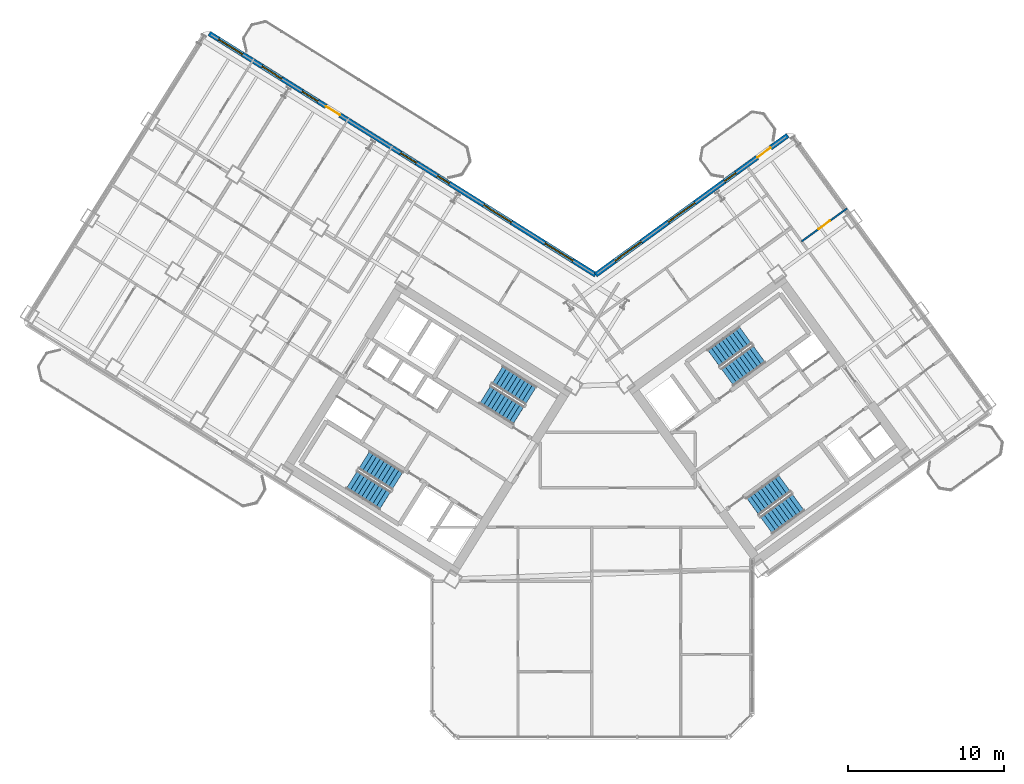
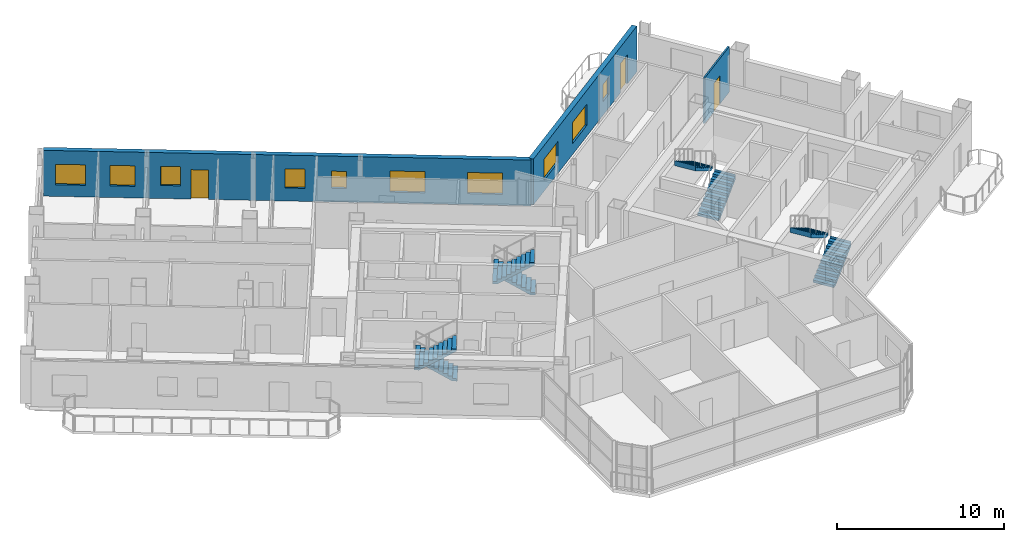
# One storey, part 16 of 21: 10 windows, 8 stair flights, 3 doors, 3 walls, 13 openings, 4 elements without a shape of their own.
"""IFC4 building model written with IfcOpenShell, lengths in metres."""

from ifc_helpers import new_model, si_unit, direction, frame, frame_2d, origin, place, context, subcontext, project, spatial, polyline, rectangle, outline, extrude, source, transform, mapped, material, layer, layer_set, type_object, element, fill, aggregate, save


model = new_model("IFC4")

# Units and contexts
model_context = context("Model", 3, precision=1e-05, world=origin(), true_north=direction((0.0, 1.0)))
body_context = subcontext(model_context, "Body", "Model", "MODEL_VIEW")
ifc_project = project(units=[si_unit("LENGTHUNIT", "METRE"), si_unit("AREAUNIT", "SQUARE_METRE"), si_unit("VOLUMEUNIT", "CUBIC_METRE"), si_unit("PLANEANGLEUNIT", "RADIAN"), si_unit("MASSUNIT", "GRAM", prefix="KILO")], contexts=[model_context])

# Site, building, storey
site_placement = place(None, origin())
site = spatial("IfcSite", under=ifc_project, at=site_placement, CompositionType="ELEMENT")
building_placement = place(site_placement, origin())
building = spatial("IfcBuilding", under=site, at=building_placement, Name="Tlacorven Tower", CompositionType="ELEMENT")
storey_placement = place(building_placement, frame((0.0, 0.0, 119.699951171875)))
storey = spatial("IfcBuildingStorey", under=building, at=storey_placement, Name="L30", CompositionType="ELEMENT", Elevation=119.699951171875)

# Wall, openings, door, windows
ifc_material_1 = material(Name="Precast concrete C45/55", Category="concrete")
ifc_layer_1 = layer(ifc_material_1, 0.320068359375)
ifc_layer_set_1 = layer_set([ifc_layer_1], Name="Precast concrete C45/55")
wall_type_1 = type_object("IfcWallType", Name="WL-EXT-320", PredefinedType="STANDARD", material=ifc_layer_set_1)
wall_1_placement = place(storey_placement, frame((17.423828125, 47.083251953125, 0.0), z_axis=(0.0, 0.0, 1.0), x_axis=(0.848049927979, -0.529916332693, 0.0)))
wall_1 = element("IfcWall", 1, at=wall_1_placement, inside=storey, type_object=wall_type_1, Name="L30 Masonry-Frame Recessed Facade Wall 3", PredefinedType="STANDARD", context=body_context, shape_type="SweptSolid", body=[
    extrude(rectangle(XDim=29.22314453125, YDim=0.320068359375, at=frame_2d((14.611572265625, 0.0))), origin(), (0.0, 0.0, 1.0), 3.35009765625),
])
opening_1_placement = place(wall_1_placement, frame((8.838623046875, 0.0, 0.0)))
opening_1 = element("IfcOpeningElement", 2, at=opening_1_placement, cuts=wall_1, Name="Opening D06", PredefinedType="OPENING", context=body_context, shape_type="SweptSolid", body=[
    extrude(rectangle(XDim=1.050048828125, YDim=2.14990234375, at=frame_2d((0.52490234375, 1.074951171875))), frame((0.0, 0.169921875, 0.0), z_axis=(0.0, -1.0, 0.0), x_axis=(1.0, 0.0, 0.0)), (0.0, 0.0, 1.0), 0.340087890625),
])
opening_2_placement = place(wall_1_placement, frame((0.719482421875, 0.0, 0.85009765625)))
opening_2 = element("IfcOpeningElement", 3, at=opening_2_placement, cuts=wall_1, Name="Opening WN01", PredefinedType="OPENING", context=body_context, shape_type="SweptSolid", body=[
    extrude(rectangle(XDim=1.800048828125, YDim=1.5, at=frame_2d((0.89990234375, 0.75))), frame((0.0, 0.169921875, 0.0), z_axis=(0.0, -1.0, 0.0), x_axis=(1.0, 0.0, 0.0)), (0.0, 0.0, 1.0), 0.340087890625),
])
opening_3_placement = place(wall_1_placement, frame((3.981201171875, 0.0, 0.85009765625)))
opening_3 = element("IfcOpeningElement", 4, at=opening_3_placement, cuts=wall_1, Name="Opening WN02", PredefinedType="OPENING", context=body_context, shape_type="SweptSolid", body=[
    extrude(rectangle(XDim=1.5, YDim=1.5, at=frame_2d((0.75, 0.75))), frame((0.0, 0.169921875, 0.0), z_axis=(0.0, -1.0, 0.0), x_axis=(1.0, 0.0, 0.0)), (0.0, 0.0, 1.0), 0.340087890625),
])
opening_4_placement = place(wall_1_placement, frame((7.021240234375, 0.0, 0.949951171875)))
opening_4 = element("IfcOpeningElement", 5, at=opening_4_placement, cuts=wall_1, Name="Opening WN03", PredefinedType="OPENING", context=body_context, shape_type="SweptSolid", body=[
    extrude(rectangle(XDim=1.199951171875, YDim=1.39990234375, at=frame_2d((0.60009765625, 0.699951171875))), frame((0.0, 0.169921875, 0.0), z_axis=(0.0, -1.0, 0.0), x_axis=(1.0, 0.0, 0.0)), (0.0, 0.0, 1.0), 0.340087890625),
])
opening_5_placement = place(wall_1_placement, frame((14.47119140625, 0.0, 0.949951171875)))
opening_5 = element("IfcOpeningElement", 6, at=opening_5_placement, cuts=wall_1, Name="Opening WN03", PredefinedType="OPENING", context=body_context, shape_type="SweptSolid", body=[
    extrude(rectangle(XDim=1.199951171875, YDim=1.39990234375, at=frame_2d((0.60009765625, 0.699951171875))), frame((0.0, 0.169921875, 0.0), z_axis=(0.0, -1.0, 0.0), x_axis=(1.0, 0.0, 0.0)), (0.0, 0.0, 1.0), 0.340087890625),
])
opening_6_placement = place(wall_1_placement, frame((17.253662109375, 0.0, 1.0)))
opening_6 = element("IfcOpeningElement", 7, at=opening_6_placement, cuts=wall_1, Name="Opening WN05", PredefinedType="OPENING", context=body_context, shape_type="SweptSolid", body=[
    extrude(rectangle(XDim=0.89990234375, YDim=1.25, at=frame_2d((0.449951171875, 0.625))), frame((0.0, 0.169921875, 0.0), z_axis=(0.0, -1.0, 0.0), x_axis=(1.0, 0.0, 0.0)), (0.0, 0.0, 1.0), 0.340087890625),
])
opening_7_placement = place(wall_1_placement, frame((20.763671875, 0.0, 0.800048828125)))
opening_7 = element("IfcOpeningElement", 8, at=opening_7_placement, cuts=wall_1, Name="Opening WN04", PredefinedType="OPENING", context=body_context, shape_type="SweptSolid", body=[
    extrude(rectangle(XDim=2.10009765625, YDim=1.550048828125, at=frame_2d((1.050048828125, 0.77490234375))), frame((0.0, 0.169921875, 0.0), z_axis=(0.0, -1.0, 0.0), x_axis=(1.0, 0.0, 0.0)), (0.0, 0.0, 1.0), 0.340087890625),
])
opening_8_placement = place(wall_1_placement, frame((25.4033203125, 0.0, 0.800048828125)))
opening_8 = element("IfcOpeningElement", 9, at=opening_8_placement, cuts=wall_1, Name="Opening WN04", PredefinedType="OPENING", context=body_context, shape_type="SweptSolid", body=[
    extrude(rectangle(XDim=2.10009765625, YDim=1.550048828125, at=frame_2d((1.050048828125, 0.77490234375))), frame((0.0, 0.169921875, 0.0), z_axis=(0.0, -1.0, 0.0), x_axis=(1.0, 0.0, 0.0)), (0.0, 0.0, 1.0), 0.340087890625),
])
ifc_material_2 = material(Name="Powder-coated aluminium and timber door", Category="wood")
door_type_1 = type_object("IfcDoorType", Name="DR-EXT-BALC-1050", OperationType="NOTDEFINED", PredefinedType="DOOR", material=ifc_material_2)
shared_shape_1 = source(origin(), body_context, "Body", "SweptSolid", [
    extrude(rectangle(XDim=1.050048828125, YDim=2.14990234375, at=frame_2d((0.52490234375, 1.074951171875))), frame((0.0, 0.02490234375, 0.0), z_axis=(0.0, -1.0, 0.0), x_axis=(1.0, 0.0, 0.0)), (0.0, 0.0, 1.0), 0.050048828125),
])
door_1_placement = place(opening_1_placement, origin())
door_1 = element("IfcDoor", 10, at=door_1_placement, inside=storey, type_object=door_type_1, Name="L30 Outdoor Access Door BAL-L30-W-IN", OperationType="SINGLE_SWING_RIGHT", OverallHeight=2.14990234375, OverallWidth=1.050048828125, PredefinedType="DOOR", context=body_context, shape_type="MappedRepresentation", body=[
    mapped(shared_shape_1, transform((0.0, 0.0, 0.0), scale=1.0)),
])
fill(opening_1, door_1)
ifc_material_3 = material(Name="Dark solar low-E double glazing in anodised aluminium frame", Category="aluminium")
window_type_1 = type_object("IfcWindowType", Name="WN-APT-2100X1750", PartitioningType="SINGLE_PANEL", PredefinedType="WINDOW", material=ifc_material_3)
shared_shape_2 = source(origin(), body_context, "Body", "SweptSolid", [
    extrude(rectangle(XDim=2.10009765625, YDim=1.550048828125, at=frame_2d((1.050048828125, 0.77490234375))), frame((0.0, 0.030029296875, 0.0), z_axis=(0.0, -1.0, 0.0), x_axis=(1.0, 0.0, 0.0)), (0.0, 0.0, 1.0), 0.06005859375),
])
window_1_placement = place(opening_7_placement, origin())
window_1 = element("IfcWindow", 11, at=window_1_placement, inside=storey, type_object=window_type_1, Name="L30 Recessed Masonry-Frame Window L30-03.6", OverallHeight=1.550048828125, OverallWidth=2.10009765625, PartitioningType="SINGLE_PANEL", PredefinedType="WINDOW", context=body_context, shape_type="MappedRepresentation", body=[
    mapped(shared_shape_2, transform((0.0, 0.0, 0.0), scale=1.0)),
])
fill(opening_7, window_1)
window_2_placement = place(opening_8_placement, origin())
window_2 = element("IfcWindow", 12, at=window_2_placement, inside=storey, type_object=window_type_1, Name="L30 Recessed Masonry-Frame Window L30-03.7", OverallHeight=1.550048828125, OverallWidth=2.10009765625, PartitioningType="SINGLE_PANEL", PredefinedType="WINDOW", context=body_context, shape_type="MappedRepresentation", body=[
    mapped(shared_shape_2, transform((0.0, 0.0, 0.0), scale=1.0)),
])
fill(opening_8, window_2)
window_type_2 = type_object("IfcWindowType", Name="WN-APT-1200X1500", PartitioningType="SINGLE_PANEL", PredefinedType="WINDOW", material=ifc_material_3)
shared_shape_3 = source(origin(), body_context, "Body", "SweptSolid", [
    extrude(rectangle(XDim=1.199951171875, YDim=1.39990234375, at=frame_2d((0.60009765625, 0.699951171875))), frame((0.0, 0.030029296875, 0.0), z_axis=(0.0, -1.0, 0.0), x_axis=(1.0, 0.0, 0.0)), (0.0, 0.0, 1.0), 0.06005859375),
])
window_3_placement = place(opening_4_placement, origin())
window_3 = element("IfcWindow", 13, at=window_3_placement, inside=storey, type_object=window_type_2, Name="L30 Recessed Masonry-Frame Window L30-03.3", OverallHeight=1.39990234375, OverallWidth=1.199951171875, PartitioningType="SINGLE_PANEL", PredefinedType="WINDOW", context=body_context, shape_type="MappedRepresentation", body=[
    mapped(shared_shape_3, transform((0.0, 0.0, 0.0), scale=1.0)),
])
fill(opening_4, window_3)
window_4_placement = place(opening_5_placement, origin())
window_4 = element("IfcWindow", 14, at=window_4_placement, inside=storey, type_object=window_type_2, Name="L30 Recessed Masonry-Frame Window L30-03.4", OverallHeight=1.39990234375, OverallWidth=1.199951171875, PartitioningType="SINGLE_PANEL", PredefinedType="WINDOW", context=body_context, shape_type="MappedRepresentation", body=[
    mapped(shared_shape_3, transform((0.0, 0.0, 0.0), scale=1.0)),
])
fill(opening_5, window_4)
window_type_3 = type_object("IfcWindowType", Name="WN-APT-1800X1650", PartitioningType="SINGLE_PANEL", PredefinedType="WINDOW", material=ifc_material_3)
shared_shape_4 = source(origin(), body_context, "Body", "SweptSolid", [
    extrude(rectangle(XDim=1.800048828125, YDim=1.5, at=frame_2d((0.89990234375, 0.75))), frame((0.0, 0.030029296875, 0.0), z_axis=(0.0, -1.0, 0.0), x_axis=(1.0, 0.0, 0.0)), (0.0, 0.0, 1.0), 0.06005859375),
])
window_5_placement = place(opening_2_placement, origin())
window_5 = element("IfcWindow", 15, at=window_5_placement, inside=storey, type_object=window_type_3, Name="L30 Recessed Masonry-Frame Window L30-03.1", OverallHeight=1.5, OverallWidth=1.800048828125, PartitioningType="SINGLE_PANEL", PredefinedType="WINDOW", context=body_context, shape_type="MappedRepresentation", body=[
    mapped(shared_shape_4, transform((0.0, 0.0, 0.0), scale=1.0)),
])
fill(opening_2, window_5)
window_type_4 = type_object("IfcWindowType", Name="WN-APT-1500X1650", PartitioningType="SINGLE_PANEL", PredefinedType="WINDOW", material=ifc_material_3)
shared_shape_5 = source(origin(), body_context, "Body", "SweptSolid", [
    extrude(rectangle(XDim=1.5, YDim=1.5, at=frame_2d((0.75, 0.75))), frame((0.0, 0.030029296875, 0.0), z_axis=(0.0, -1.0, 0.0), x_axis=(1.0, 0.0, 0.0)), (0.0, 0.0, 1.0), 0.06005859375),
])
window_6_placement = place(opening_3_placement, origin())
window_6 = element("IfcWindow", 16, at=window_6_placement, inside=storey, type_object=window_type_4, Name="L30 Recessed Masonry-Frame Window L30-03.2", OverallHeight=1.5, OverallWidth=1.5, PartitioningType="SINGLE_PANEL", PredefinedType="WINDOW", context=body_context, shape_type="MappedRepresentation", body=[
    mapped(shared_shape_5, transform((0.0, 0.0, 0.0), scale=1.0)),
])
fill(opening_3, window_6)
window_type_5 = type_object("IfcWindowType", Name="WN-APT-0900X1350", PartitioningType="SINGLE_PANEL", PredefinedType="WINDOW", material=ifc_material_3)
shared_shape_6 = source(origin(), body_context, "Body", "SweptSolid", [
    extrude(rectangle(XDim=0.89990234375, YDim=1.25, at=frame_2d((0.449951171875, 0.625))), frame((0.0, 0.030029296875, 0.0), z_axis=(0.0, -1.0, 0.0), x_axis=(1.0, 0.0, 0.0)), (0.0, 0.0, 1.0), 0.06005859375),
])
window_7_placement = place(opening_6_placement, origin())
window_7 = element("IfcWindow", 17, at=window_7_placement, inside=storey, type_object=window_type_5, Name="L30 Recessed Masonry-Frame Window L30-03.5", OverallHeight=1.25, OverallWidth=0.89990234375, PartitioningType="SINGLE_PANEL", PredefinedType="WINDOW", context=body_context, shape_type="MappedRepresentation", body=[
    mapped(shared_shape_6, transform((0.0, 0.0, 0.0), scale=1.0)),
])
fill(opening_6, window_7)

wall_2_placement = place(storey_placement, frame((42.20654296875, 31.597412109375, 0.0), z_axis=(0.0, 0.0, 1.0), x_axis=(0.809020333377, 0.587780656523, 0.0)))
wall_2 = element("IfcWall", 18, at=wall_2_placement, inside=storey, type_object=wall_type_1, Name="L30 Masonry-Frame Recessed Facade Wall 4", PredefinedType="STANDARD", context=body_context, shape_type="SweptSolid", body=[
    extrude(rectangle(XDim=15.222900390625, YDim=0.320068359375, at=frame_2d((7.611328125, 0.0))), origin(), (0.0, 0.0, 1.0), 3.35009765625),
])
opening_9_placement = place(wall_2_placement, frame((12.81982421875, 0.0, 0.0)))
opening_9 = element("IfcOpeningElement", 19, at=opening_9_placement, cuts=wall_2, Name="Opening D06", PredefinedType="OPENING", context=body_context, shape_type="SweptSolid", body=[
    extrude(rectangle(XDim=1.050048828125, YDim=2.14990234375, at=frame_2d((0.52490234375, 1.074951171875))), frame((0.0, 0.169921875, 0.0), z_axis=(0.0, -1.0, 0.0), x_axis=(1.0, 0.0, 0.0)), (0.0, 0.0, 1.0), 0.340087890625),
])
opening_10_placement = place(wall_2_placement, frame((1.52001953125, 0.0, 0.800048828125)))
opening_10 = element("IfcOpeningElement", 20, at=opening_10_placement, cuts=wall_2, Name="Opening WN04", PredefinedType="OPENING", context=body_context, shape_type="SweptSolid", body=[
    extrude(rectangle(XDim=2.10009765625, YDim=1.550048828125, at=frame_2d((1.050048828125, 0.77490234375))), frame((0.0, 0.169921875, 0.0), z_axis=(0.0, -1.0, 0.0), x_axis=(1.0, 0.0, 0.0)), (0.0, 0.0, 1.0), 0.340087890625),
])
opening_11_placement = place(wall_2_placement, frame((5.759521484375, 0.0, 0.800048828125)))
opening_11 = element("IfcOpeningElement", 21, at=opening_11_placement, cuts=wall_2, Name="Opening WN04", PredefinedType="OPENING", context=body_context, shape_type="SweptSolid", body=[
    extrude(rectangle(XDim=2.10009765625, YDim=1.550048828125, at=frame_2d((1.050048828125, 0.77490234375))), frame((0.0, 0.169921875, 0.0), z_axis=(0.0, -1.0, 0.0), x_axis=(1.0, 0.0, 0.0)), (0.0, 0.0, 1.0), 0.340087890625),
])
opening_12_placement = place(wall_2_placement, frame((10.219482421875, 0.0, 1.0)))
opening_12 = element("IfcOpeningElement", 22, at=opening_12_placement, cuts=wall_2, Name="Opening WN05", PredefinedType="OPENING", context=body_context, shape_type="SweptSolid", body=[
    extrude(rectangle(XDim=0.89990234375, YDim=1.25, at=frame_2d((0.449951171875, 0.625))), frame((0.0, 0.169921875, 0.0), z_axis=(0.0, -1.0, 0.0), x_axis=(1.0, 0.0, 0.0)), (0.0, 0.0, 1.0), 0.340087890625),
])
door_2_placement = place(opening_9_placement, origin())
door_2 = element("IfcDoor", 23, at=door_2_placement, inside=storey, type_object=door_type_1, Name="L30 Outdoor Access Door BAL-L30-E-IN", OperationType="SINGLE_SWING_RIGHT", OverallHeight=2.14990234375, OverallWidth=1.050048828125, PredefinedType="DOOR", context=body_context, shape_type="MappedRepresentation", body=[
    mapped(shared_shape_1, transform((0.0, 0.0, 0.0), scale=1.0)),
])
fill(opening_9, door_2)
window_8_placement = place(opening_10_placement, origin())
window_8 = element("IfcWindow", 24, at=window_8_placement, inside=storey, type_object=window_type_1, Name="L30 Recessed Masonry-Frame Window L30-04.1", OverallHeight=1.550048828125, OverallWidth=2.10009765625, PartitioningType="SINGLE_PANEL", PredefinedType="WINDOW", context=body_context, shape_type="MappedRepresentation", body=[
    mapped(shared_shape_2, transform((0.0, 0.0, 0.0), scale=1.0)),
])
fill(opening_10, window_8)
window_9_placement = place(opening_11_placement, origin())
window_9 = element("IfcWindow", 25, at=window_9_placement, inside=storey, type_object=window_type_1, Name="L30 Recessed Masonry-Frame Window L30-04.2", OverallHeight=1.550048828125, OverallWidth=2.10009765625, PartitioningType="SINGLE_PANEL", PredefinedType="WINDOW", context=body_context, shape_type="MappedRepresentation", body=[
    mapped(shared_shape_2, transform((0.0, 0.0, 0.0), scale=1.0)),
])
fill(opening_11, window_9)
window_10_placement = place(opening_12_placement, origin())
window_10 = element("IfcWindow", 26, at=window_10_placement, inside=storey, type_object=window_type_5, Name="L30 Recessed Masonry-Frame Window L30-04.3", OverallHeight=1.25, OverallWidth=0.89990234375, PartitioningType="SINGLE_PANEL", PredefinedType="WINDOW", context=body_context, shape_type="MappedRepresentation", body=[
    mapped(shared_shape_6, transform((0.0, 0.0, 0.0), scale=1.0)),
])
fill(opening_12, window_10)

# Wall, opening, door
ifc_material_4 = material(Name="Gypsum plasterboard partition", Category="gypsum")
ifc_layer_2 = layer(ifc_material_4, 0.110107421875)
ifc_layer_set_2 = layer_set([ifc_layer_2], Name="Gypsum plasterboard partition")
wall_type_2 = type_object("IfcWallType", Name="WL-INT-110", PredefinedType="PARTITIONING", material=ifc_layer_set_2)
wall_3_placement = place(storey_placement, frame((55.40869140625, 33.73828125, 0.0), z_axis=(0.0, 0.0, 1.0), x_axis=(0.809005039917, 0.58780170584, 0.0)))
wall_3 = element("IfcWall", 27, at=wall_3_placement, inside=storey, type_object=wall_type_2, Name="L30 partition 94", PredefinedType="PARTITIONING", context=body_context, shape_type="SweptSolid", body=[
    extrude(rectangle(XDim=3.610107421875, YDim=0.110107421875, at=frame_2d((1.80517578125, 0.0))), origin(), (0.0, 0.0, 1.0), 3.340087890625),
])
opening_13_placement = place(wall_3_placement, frame((1.344970703125, 0.0, 0.0)))
opening_13 = element("IfcOpeningElement", 28, at=opening_13_placement, cuts=wall_3, Name="Opening D12", PredefinedType="OPENING", context=body_context, shape_type="SweptSolid", body=[
    extrude(rectangle(XDim=0.919921875, YDim=2.080078125, at=frame_2d((0.4599609375, 1.0400390625))), frame((0.0, 0.06494140625, 0.0), z_axis=(0.0, -1.0, 0.0), x_axis=(1.0, 0.0, 0.0)), (0.0, 0.0, 1.0), 0.130126953125),
])
door_type_2 = type_object("IfcDoorType", Name="DR-INT-ROOM-0920", OperationType="NOTDEFINED", PredefinedType="DOOR", material=ifc_material_2)
shared_shape_7 = source(origin(), body_context, "Body", "SweptSolid", [
    extrude(rectangle(XDim=0.919921875, YDim=2.080078125, at=frame_2d((0.4599609375, 1.0400390625))), frame((0.0, 0.02490234375, 0.0), z_axis=(0.0, -1.0, 0.0), x_axis=(1.0, 0.0, 0.0)), (0.0, 0.0, 1.0), 0.050048828125),
])
door_3_placement = place(opening_13_placement, origin())
door_3 = element("IfcDoor", 29, at=door_3_placement, inside=storey, type_object=door_type_2, Name="L30 door 059", OperationType="SINGLE_SWING_RIGHT", OverallHeight=2.080078125, OverallWidth=0.919921875, PredefinedType="DOOR", context=body_context, shape_type="MappedRepresentation", body=[
    mapped(shared_shape_7, transform((0.0, 0.0, 0.0), scale=1.0)),
])
fill(opening_13, door_3)

# Stair, stair flights
ifc_material_5 = material(Name="Concrete C40/50", Category="concrete")
stair_type = type_object("IfcStairType", Name="ST-CORE-DLG", PredefinedType="HALF_TURN_STAIR", material=ifc_material_5)
stair_1_placement = place(storey_placement, origin())
stair_1 = element("IfcStair", 30, at=stair_1_placement, inside=storey, type_object=stair_type, Name="L30 Protected Exit Stair West 1", PredefinedType="HALF_TURN_STAIR")
stair_flight_type = type_object("IfcStairFlightType", Name="SFL-RC-1380", PredefinedType="STRAIGHT", material=ifc_material_5)
shared_shape_8 = source(origin(), body_context, "Body", "SweptSolid", [
    extrude(outline(polyline([(-0.0029296875, -0.0029296875), (-0.0029296875, 0.179931640625), (0.280029296875, 0.179931640625), (0.280029296875, 0.360107421875), (0.56005859375, 0.360107421875), (0.56005859375, 0.5400390625), (0.840087890625, 0.5400390625), (0.840087890625, 0.719970703125), (1.1201171875, 0.719970703125), (1.1201171875, 0.89990234375), (1.39990234375, 0.89990234375), (1.39990234375, 1.080078125), (1.679931640625, 1.080078125), (1.679931640625, 1.260009765625), (1.9599609375, 1.260009765625), (1.9599609375, 1.43994140625), (2.239990234375, 1.43994140625), (2.239990234375, 1.6201171875), (2.52001953125, 1.6201171875), (2.52001953125, 1.800048828125), (2.52294921875, 1.800048828125), (2.52294921875, 1.429931640625), (2.52001953125, 1.429931640625), (0.295654296875, 0.0), (0.295654296875, -0.0029296875), (-0.0029296875, -0.0029296875)])), frame((0.0, 0.68994140625, 0.0), z_axis=(0.0, -1.0, 0.0), x_axis=(1.0, 0.0, 0.0)), (0.0, 0.0, 1.0), 1.3798828125),
])
stair_flight_1_placement = place(storey_placement, frame((29.499755859375, 18.39453125, 0.0), z_axis=(0.0, 0.0, 1.0), x_axis=(-0.848048096156, 0.529919264233, 0.0)))
stair_flight_1 = element("IfcStairFlight", 31, at=stair_flight_1_placement, type_object=stair_flight_type, Name="ST-W1 flight 1", NumberOfRisers=10, NumberOfTreads=9, PredefinedType="STRAIGHT", RiserHeight=0.18, TreadLength=0.28, context=body_context, shape_type="MappedRepresentation", body=[
    mapped(shared_shape_8, transform((0.0, 0.0, 0.0), scale=1.0)),
])
stair_flight_2_placement = place(storey_placement, frame((26.56787109375, 18.4580078125, 1.800048828125), z_axis=(0.0, 0.0, 1.0), x_axis=(0.848048096156, -0.529919264233, 0.0)))
stair_flight_2 = element("IfcStairFlight", 32, at=stair_flight_2_placement, type_object=stair_flight_type, Name="ST-W1 flight 2", NumberOfRisers=10, NumberOfTreads=9, PredefinedType="STRAIGHT", RiserHeight=0.18, TreadLength=0.28, context=body_context, shape_type="MappedRepresentation", body=[
    mapped(shared_shape_8, transform((0.0, 0.0, 0.0), scale=1.0)),
])
aggregate(stair_1, [stair_flight_1, stair_flight_2])

stair_2_placement = place(storey_placement, origin())
stair_2 = element("IfcStair", 33, at=stair_2_placement, inside=storey, type_object=stair_type, Name="L30 Protected Exit Stair West 2", PredefinedType="HALF_TURN_STAIR")
stair_flight_3_placement = place(storey_placement, frame((38.051513671875, 23.852294921875, 0.0), z_axis=(0.0, 0.0, 1.0), x_axis=(-0.848048096156, 0.529919264233, 0.0)))
stair_flight_3 = element("IfcStairFlight", 34, at=stair_flight_3_placement, type_object=stair_flight_type, Name="ST-W2 flight 1", NumberOfRisers=10, NumberOfTreads=9, PredefinedType="STRAIGHT", RiserHeight=0.18, TreadLength=0.28, context=body_context, shape_type="MappedRepresentation", body=[
    mapped(shared_shape_8, transform((0.0, 0.0, 0.0), scale=1.0)),
])
stair_flight_4_placement = place(storey_placement, frame((35.119384765625, 23.91552734375, 1.800048828125), z_axis=(0.0, 0.0, 1.0), x_axis=(0.848048096156, -0.529919264233, 0.0)))
stair_flight_4 = element("IfcStairFlight", 35, at=stair_flight_4_placement, type_object=stair_flight_type, Name="ST-W2 flight 2", NumberOfRisers=10, NumberOfTreads=9, PredefinedType="STRAIGHT", RiserHeight=0.18, TreadLength=0.28, context=body_context, shape_type="MappedRepresentation", body=[
    mapped(shared_shape_8, transform((0.0, 0.0, 0.0), scale=1.0)),
])
aggregate(stair_2, [stair_flight_3, stair_flight_4])

stair_3_placement = place(storey_placement, origin())
stair_3 = element("IfcStair", 36, at=stair_3_placement, inside=storey, type_object=stair_type, Name="L30 Protected Exit Stair East 1", PredefinedType="HALF_TURN_STAIR")
stair_flight_5_placement = place(storey_placement, frame((50.6533203125, 25.0400390625, 0.0), z_axis=(0.0, 0.0, 1.0), x_axis=(0.809016994375, 0.587785252292, 0.0)))
stair_flight_5 = element("IfcStairFlight", 37, at=stair_flight_5_placement, type_object=stair_flight_type, Name="ST-E1 flight 1", NumberOfRisers=10, NumberOfTreads=9, PredefinedType="STRAIGHT", RiserHeight=0.18, TreadLength=0.28, context=body_context, shape_type="MappedRepresentation", body=[
    mapped(shared_shape_8, transform((0.0, 0.0, 0.0), scale=1.0)),
])
stair_flight_6_placement = place(storey_placement, frame((51.810546875, 27.734619140625, 1.800048828125), z_axis=(0.0, 0.0, 1.0), x_axis=(-0.809016994375, -0.587785252292, 0.0)))
stair_flight_6 = element("IfcStairFlight", 38, at=stair_flight_6_placement, type_object=stair_flight_type, Name="ST-E1 flight 2", NumberOfRisers=10, NumberOfTreads=9, PredefinedType="STRAIGHT", RiserHeight=0.18, TreadLength=0.28, context=body_context, shape_type="MappedRepresentation", body=[
    mapped(shared_shape_8, transform((0.0, 0.0, 0.0), scale=1.0)),
])
aggregate(stair_3, [stair_flight_5, stair_flight_6])

stair_4_placement = place(storey_placement, origin())
stair_4 = element("IfcStair", 39, at=stair_4_placement, inside=storey, type_object=stair_type, Name="L30 Protected Exit Stair East 2", PredefinedType="HALF_TURN_STAIR")
stair_flight_7_placement = place(storey_placement, frame((53.157470703125, 15.536865234375, 0.0), z_axis=(0.0, 0.0, 1.0), x_axis=(0.809016994375, 0.587785252292, 0.0)))
stair_flight_7 = element("IfcStairFlight", 40, at=stair_flight_7_placement, type_object=stair_flight_type, Name="ST-E2 flight 1", NumberOfRisers=10, NumberOfTreads=9, PredefinedType="STRAIGHT", RiserHeight=0.18, TreadLength=0.28, context=body_context, shape_type="MappedRepresentation", body=[
    mapped(shared_shape_8, transform((0.0, 0.0, 0.0), scale=1.0)),
])
stair_flight_8_placement = place(storey_placement, frame((54.314453125, 18.231689453125, 1.800048828125), z_axis=(0.0, 0.0, 1.0), x_axis=(-0.809016994375, -0.587785252292, 0.0)))
stair_flight_8 = element("IfcStairFlight", 41, at=stair_flight_8_placement, type_object=stair_flight_type, Name="ST-E2 flight 2", NumberOfRisers=10, NumberOfTreads=9, PredefinedType="STRAIGHT", RiserHeight=0.18, TreadLength=0.28, context=body_context, shape_type="MappedRepresentation", body=[
    mapped(shared_shape_8, transform((0.0, 0.0, 0.0), scale=1.0)),
])
aggregate(stair_4, [stair_flight_7, stair_flight_8])

save(model, "model.ifc")
